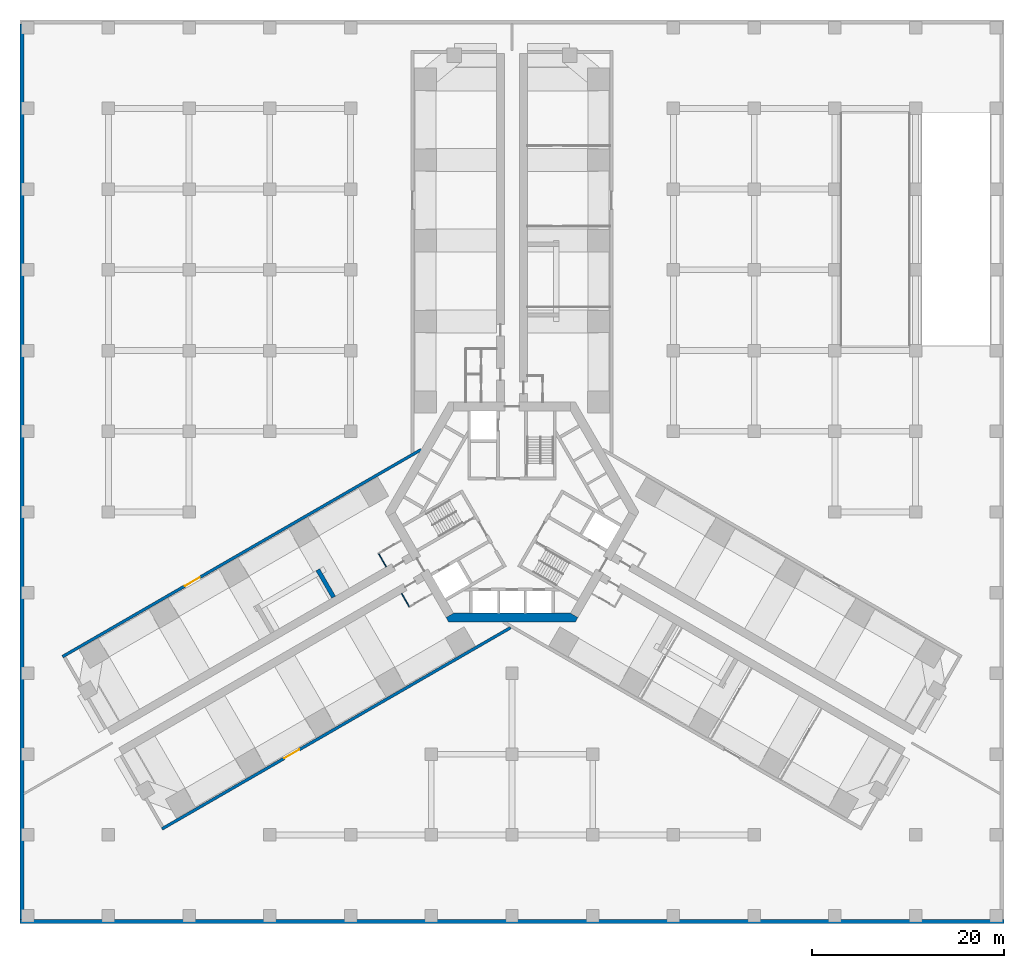
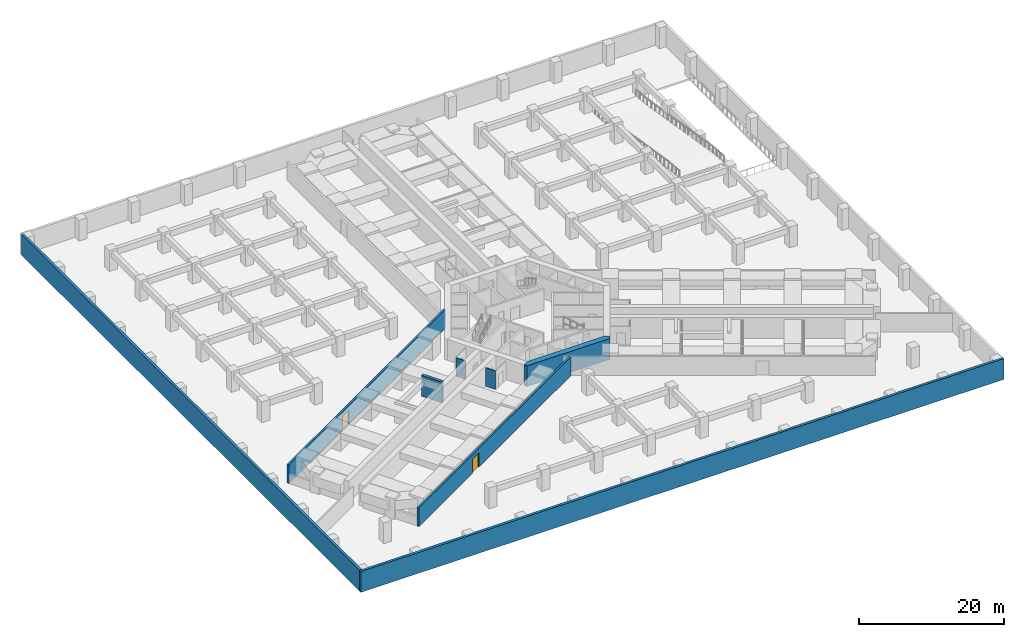
# One storey, part 5 of 10: 8 walls, 2 doors, 2 openings.
"""IFC4 building model written with IfcOpenShell, lengths in metres."""

from ifc_helpers import new_model, si_unit, direction, frame, frame_2d, origin, place, context, subcontext, project, spatial, polyline, rectangle, outline, extrude, material, layer, layer_set, type_object, element, fill, save


model = new_model("IFC4")

# Units and contexts
model_context = context("Model", 3, precision=1e-05, world=origin(), true_north=direction((0.0, 1.0)))
body_context = subcontext(model_context, "Body", "Model", "MODEL_VIEW")
ifc_project = project(units=[si_unit("LENGTHUNIT", "METRE"), si_unit("AREAUNIT", "SQUARE_METRE"), si_unit("VOLUMEUNIT", "CUBIC_METRE"), si_unit("PLANEANGLEUNIT", "RADIAN"), si_unit("MASSUNIT", "GRAM", prefix="KILO")], contexts=[model_context])

# Site, building, storey
site_placement = place(None, origin())
site = spatial("IfcSite", under=ifc_project, at=site_placement, CompositionType="ELEMENT")
building_placement = place(site_placement, origin())
building = spatial("IfcBuilding", under=site, at=building_placement, Name="Impinga Residences", CompositionType="ELEMENT")
storey_placement = place(building_placement, frame((0.0, 0.0, -3.5)))
storey = spatial("IfcBuildingStorey", under=building, at=storey_placement, Name="B1", CompositionType="ELEMENT", Elevation=-3.5)

# Walls
ifc_material_1 = material(Name="Concrete blockwork", Category="masonry")
ifc_layer_1 = layer(ifc_material_1, 0.10009765625)
ifc_layer_set_1 = layer_set([ifc_layer_1], Name="CP1 core room partition, blockwork 100")
wall_type_1 = type_object("IfcWallType", Name="CP1 core room partition, blockwork 100", PredefinedType="PARTITIONING", material=ifc_layer_set_1)
wall_1_placement = place(storey_placement, frame((-11.481689453125, -8.476318359375, 0.0), z_axis=(0.0, 0.0, 1.0), x_axis=(0.500017819788, -0.86601511528, 0.0)))
element("IfcWall", 1, at=wall_1_placement, inside=storey, type_object=wall_type_1, Name="Core room partition, blockwork B1-WA1:L2", PredefinedType="PARTITIONING", context=body_context, shape_type="SweptSolid", body=[
    extrude(rectangle(XDim=1.55029296875, YDim=0.10009765625, at=frame_2d((0.775146484375, 0.0))), origin(), (0.0, 0.0, 1.0), 3.14990234375),
])
wall_2_placement = place(storey_placement, frame((-13.08154296875, -5.705078125, 0.0), z_axis=(0.0, 0.0, 1.0), x_axis=(-0.500086022567, 0.865975732936, 0.0)))
element("IfcWall", 2, at=wall_2_placement, inside=storey, type_object=wall_type_1, Name="Core room partition, blockwork B1-WF1:L2", PredefinedType="PARTITIONING", context=body_context, shape_type="SweptSolid", body=[
    extrude(rectangle(XDim=1.550048828125, YDim=0.10009765625, at=frame_2d((0.77490234375, 0.0))), origin(), (0.0, 0.0, 1.0), 3.14990234375),
])

# Wall, opening, door
ifc_layer_2 = layer(ifc_material_1, 0.300048828125)
ifc_layer_set_2 = layer_set([ifc_layer_2], Name="PW3 podium wall on the wing face 300")
wall_type_2 = type_object("IfcWallType", Name="PW3 podium wall on the wing face 300", PredefinedType="SOLIDWALL", material=ifc_layer_set_2)
wall_3_placement = place(storey_placement, frame((-0.14990234375, -12.037841796875, 0.0), z_axis=(0.0, 0.0, 1.0), x_axis=(-0.866026292622, -0.499998460486, 0.0)))
wall_3 = element("IfcWall", 3, at=wall_3_placement, inside=storey, type_object=wall_type_2, Name="Podium wall on the wing face B1:SIDE:WA0", PredefinedType="SOLIDWALL", context=body_context, shape_type="SweptSolid", body=[
    extrude(rectangle(XDim=41.883056640625, YDim=0.300048828125, at=frame_2d((20.94140625, 0.0))), origin(), (0.0, 0.0, 1.0), 3.14990234375),
])
opening_1_placement = place(wall_3_placement, frame((25.3828125, 0.0, 0.0)))
opening_1 = element("IfcOpeningElement", 4, at=opening_1_placement, cuts=wall_3, Name="Opening D7", PredefinedType="OPENING", context=body_context, shape_type="SweptSolid", body=[
    extrude(rectangle(XDim=1.800048828125, YDim=2.39990234375, at=frame_2d((0.89990234375, 1.199951171875))), frame((0.0, 0.159912109375, 0.0), z_axis=(0.0, -1.0, 0.0), x_axis=(1.0, 0.0, 0.0)), (0.0, 0.0, 1.0), 0.320068359375),
])
ifc_material_2 = material(Name="Timber door set", Category="wood")
door_type = type_object("IfcDoorType", Name="D7 podium door pair 1800x2400", OperationType="DOUBLE_DOOR_DOUBLE_SWING", PredefinedType="DOOR", material=ifc_material_2)
door_1_placement = place(opening_1_placement, origin())
door_1 = element("IfcDoor", 5, at=door_1_placement, inside=storey, type_object=door_type, Name="Double door WA", OperationType="DOUBLE_DOOR_DOUBLE_SWING", OverallHeight=2.39990234375, OverallWidth=1.800048828125, PredefinedType="DOOR", context=body_context, shape_type="SweptSolid", body=[
    extrude(rectangle(XDim=1.800048828125, YDim=2.39990234375, at=frame_2d((0.89990234375, 1.199951171875))), frame((0.0, 0.02490234375, 0.0), z_axis=(0.0, -1.0, 0.0), x_axis=(1.0, 0.0, 0.0)), (0.0, 0.0, 1.0), 0.050048828125),
])
fill(opening_1, door_1)

wall_4_placement = place(storey_placement, frame((-9.449951171875, 6.4951171875, 0.0), z_axis=(0.0, 0.0, 1.0), x_axis=(-0.866025301493, -0.500000177174, 0.0)))
wall_4 = element("IfcWall", 6, at=wall_4_placement, inside=storey, type_object=wall_type_2, Name="Podium wall on the wing face B1:SIDE:WF0", PredefinedType="SOLIDWALL", context=body_context, shape_type="SweptSolid", body=[
    extrude(rectangle(XDim=43.09521484375, YDim=0.300048828125, at=frame_2d((21.547607421875, 0.0))), origin(), (0.0, 0.0, 1.0), 3.14990234375),
])
opening_2_placement = place(wall_4_placement, frame((26.59521484375, 0.0, 0.0)))
opening_2 = element("IfcOpeningElement", 7, at=opening_2_placement, cuts=wall_4, Name="Opening D7", PredefinedType="OPENING", context=body_context, shape_type="SweptSolid", body=[
    extrude(rectangle(XDim=1.800048828125, YDim=2.39990234375, at=frame_2d((0.89990234375, 1.199951171875))), frame((0.0, 0.159912109375, 0.0), z_axis=(0.0, -1.0, 0.0), x_axis=(1.0, 0.0, 0.0)), (0.0, 0.0, 1.0), 0.320068359375),
])
door_2_placement = place(opening_2_placement, origin())
door_2 = element("IfcDoor", 8, at=door_2_placement, inside=storey, type_object=door_type, Name="Double door WF", OperationType="DOUBLE_DOOR_DOUBLE_SWING", OverallHeight=2.39990234375, OverallWidth=1.800048828125, PredefinedType="DOOR", context=body_context, shape_type="SweptSolid", body=[
    extrude(rectangle(XDim=1.800048828125, YDim=2.39990234375, at=frame_2d((0.89990234375, 1.199951171875))), frame((0.0, 0.02490234375, 0.0), z_axis=(0.0, -1.0, 0.0), x_axis=(1.0, 0.0, 0.0)), (0.0, 0.0, 1.0), 0.050048828125),
])
fill(opening_2, door_2)

# Walls
ifc_material_3 = material(Name="Concrete C60/75", Category="concrete")
ifc_layer_3 = layer(ifc_material_3, 0.39990234375)
ifc_layer_set_3 = layer_set([ifc_layer_3], Name="Concrete C60/75")
wall_type_3 = type_object("IfcWallType", Name="RW1 basement retaining wall 400", PredefinedType="USERDEFINED", material=ifc_layer_set_3)
wall_5_placement = place(storey_placement, frame((-51.199951171875, -42.60009765625, 0.0), z_axis=(0.0, 0.0, 1.0), x_axis=(1.0, 0.0, 0.0)))
element("IfcWall", 9, at=wall_5_placement, inside=storey, type_object=wall_type_3, Name="Retaining wall RW1 S B1", ObjectType="RETAINING WALL", PredefinedType="USERDEFINED", context=body_context, shape_type="SweptSolid", body=[
    extrude(rectangle(XDim=102.39990234375, YDim=0.39990234375, at=frame_2d((51.199951171875, 0.0))), origin(), (0.0, 0.0, 1.0), 3.5),
])
wall_6_placement = place(storey_placement, frame((-51.0, -42.39990234375, 0.0), z_axis=(0.0, 0.0, 1.0), x_axis=(0.0, 1.0, 0.0)))
element("IfcWall", 10, at=wall_6_placement, inside=storey, type_object=wall_type_3, Name="Retaining wall RW1 W B1", ObjectType="RETAINING WALL", PredefinedType="USERDEFINED", context=body_context, shape_type="SweptSolid", body=[
    extrude(rectangle(XDim=93.199951171875, YDim=0.39990234375, at=frame_2d((46.60009765625, 0.0))), origin(), (0.0, 0.0, 1.0), 3.5),
])
ifc_layer_4 = layer(ifc_material_3, 0.449951171875)
ifc_layer_set_4 = layer_set([ifc_layer_4], Name="Concrete C60/75")
wall_type_4 = type_object("IfcWallType", Name="SE3 wing stair end wall carried down to the raft, basements 450", PredefinedType="SOLIDWALL", material=ifc_layer_set_4)
wall_7_placement = place(storey_placement, frame((-18.55908203125, -8.86767578125, 0.0), z_axis=(0.0, 0.0, 1.0), x_axis=(-0.50002983664, 0.866008176907, 0.0)))
element("IfcWall", 11, at=wall_7_placement, inside=storey, type_object=wall_type_4, Name="Stair enclosure wall SE3 W END0 B1", PredefinedType="SOLIDWALL", context=body_context, shape_type="SweptSolid", body=[
    extrude(rectangle(XDim=3.300048828125, YDim=0.449951171875, at=frame_2d((1.64990234375, 0.0))), origin(), (0.0, 0.0, 1.0), 3.5),
])
ifc_material_4 = material(Name="Concrete C70/85", Category="concrete")
ifc_layer_5 = layer(ifc_material_4, 0.89990234375)
ifc_layer_set_5 = layer_set([ifc_layer_5], Name="Concrete C70/85")
wall_type_5 = type_object("IfcWallType", Name="SW1 core wall 900", PredefinedType="SHEAR", material=ifc_layer_set_5)
wall_8_placement = place(storey_placement, origin())
element("IfcWall", 12, at=wall_8_placement, inside=storey, type_object=wall_type_5, Name="Core wall SW1 N:EXPOSED B1", PredefinedType="SHEAR", context=body_context, shape_type="SweptSolid", body=[
    extrude(outline(polyline([(-6.60009765625, -11.431640625), (6.60009765625, -11.431640625), (6.85986328125, -10.9814453125), (6.080322265625, -10.531494140625), (-6.080322265625, -10.531494140625), (-6.85986328125, -10.9814453125), (-6.60009765625, -11.431640625)])), origin(), (0.0, 0.0, 1.0), 3.5),
])

save(model, "model.ifc")
